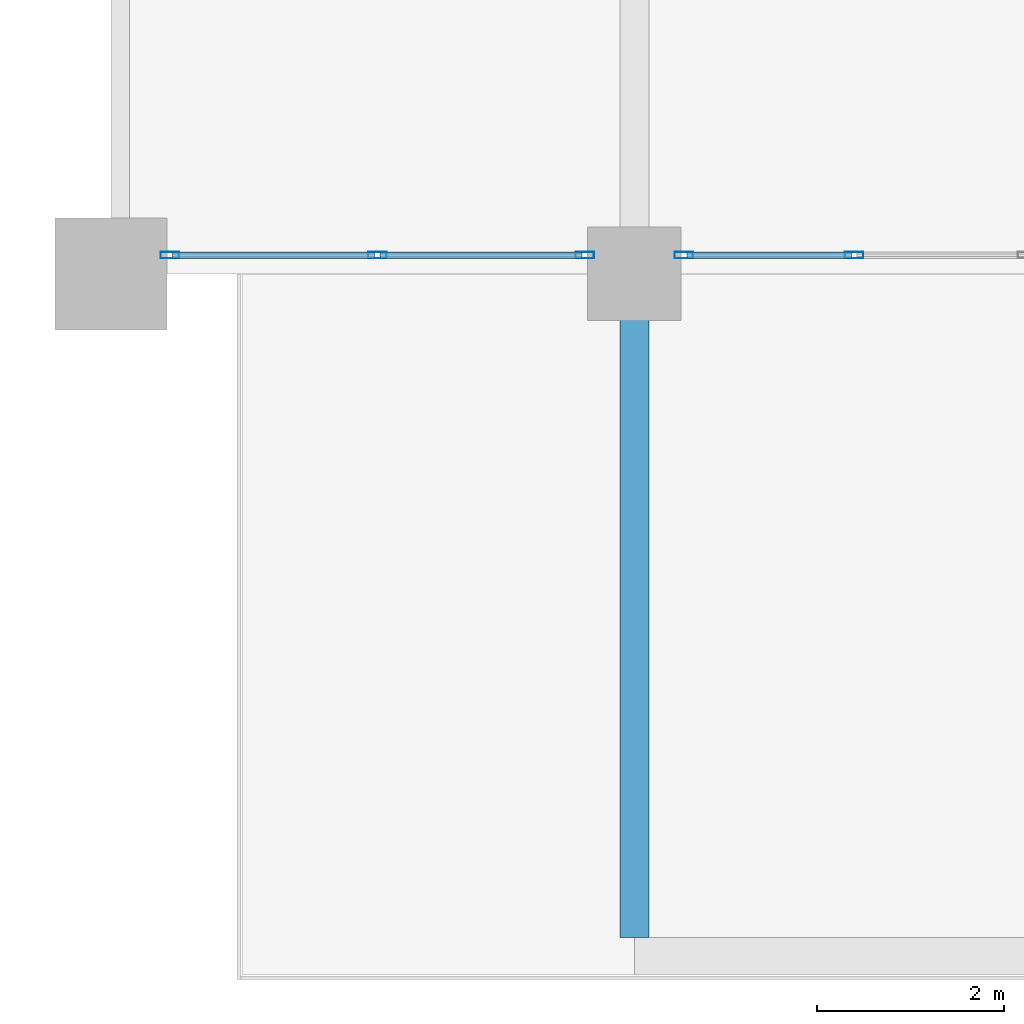
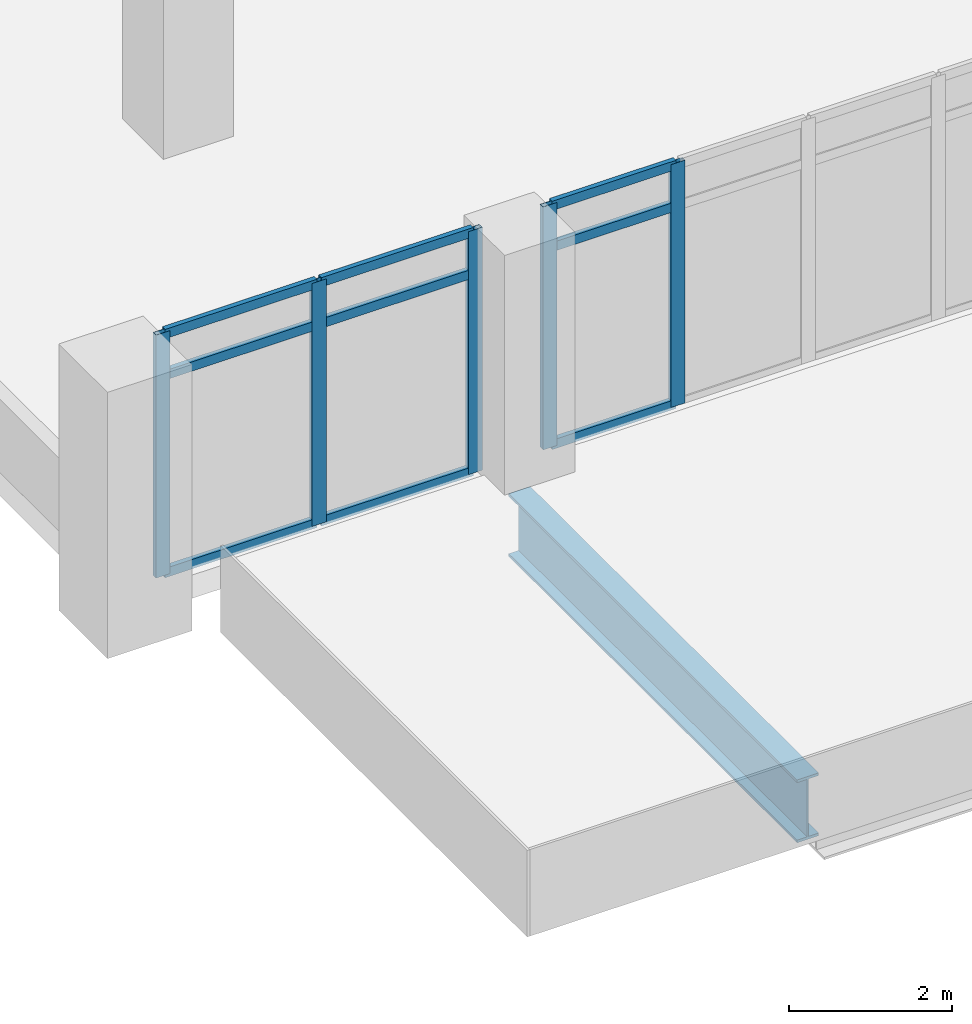
# One storey, part 3 of 24: 14 members, 1 beam, 2 elements without a shape of their own.
"""IFC4 building model written with IfcOpenShell, lengths in metres."""

from ifc_helpers import new_model, si_unit, direction, frame, origin, origin_2d, place, context, subcontext, project, spatial, hollow_rectangle, i_section, extrude, material, material_profile, profile_set, type_object, element, aggregate, save


model = new_model("IFC4")

# Units and contexts
model_context = context("Model", 3, precision=1e-05, world=origin(), true_north=direction((0.0, 1.0)))
body_context = subcontext(model_context, "Body", "Model", "MODEL_VIEW")
ifc_project = project(units=[si_unit("LENGTHUNIT", "METRE"), si_unit("AREAUNIT", "SQUARE_METRE"), si_unit("VOLUMEUNIT", "CUBIC_METRE"), si_unit("PLANEANGLEUNIT", "RADIAN"), si_unit("MASSUNIT", "GRAM", prefix="KILO")], contexts=[model_context])

# Site, building, storey
site_placement = place(None, origin())
site = spatial("IfcSite", under=ifc_project, at=site_placement, CompositionType="ELEMENT")
building_placement = place(site_placement, origin())
building = spatial("IfcBuilding", under=site, at=building_placement, Name="Ostrander Bayou Hotel Tower", CompositionType="ELEMENT")
storey_placement = place(building_placement, frame((0.0, 0.0, 6.0)))
storey = spatial("IfcBuildingStorey", under=building, at=storey_placement, Name="L01", CompositionType="ELEMENT", Elevation=6.0)

# Beam
ifc_material_1 = material(Name="Steel ASTM A992", Category="steel")
ifc_material_profile_1 = material_profile(ifc_material_1, i_section(OverallWidth=0.307861328125, OverallDepth=0.94287109375, WebThickness=0.022216796875, FlangeThickness=0.039794921875, at=origin_2d()))
ifc_profile_set_1 = profile_set([ifc_material_profile_1], Name="Steel ASTM A992")
beam_type = type_object("IfcBeamType", Name="CG2 canopy cantilever girder W36x232", PredefinedType="BEAM", material=ifc_profile_set_1)
beam_placement = place(storey_placement, frame((-8.39990234375, -50.39990234375, -0.8212890625), z_axis=(0.0, -1.0, 0.0), x_axis=(1.0, 0.0, 0.0)))
element("IfcBeam", 1, at=beam_placement, inside=storey, type_object=beam_type, Name="CG2 G1 cantilever", PredefinedType="BEAM", context=body_context, shape_type="SweptSolid", body=[
    extrude(i_section(OverallWidth=0.307861328125, OverallDepth=0.94287109375, WebThickness=0.022216796875, FlangeThickness=0.039794921875, at=origin_2d()), origin(), (0.0, 0.0, 1.0), 7.097900390625),
])

# Curtain wall, members
ifc_material_2 = material(Name="Aluminium and clear glass", Category="aluminium")
curtain_wall_type = type_object("IfcCurtainWallType", Name="CW-LOBBY glazed wall", PredefinedType="NOTDEFINED", material=ifc_material_2)
curtain_wall_1_placement = place(storey_placement, origin())
curtain_wall_1 = element("IfcCurtainWall", 2, at=curtain_wall_1_placement, inside=storey, type_object=curtain_wall_type, Name="CW-LOBBY L01:4", PredefinedType="NOTDEFINED")
ifc_material_3 = material(Name="Aluminium", Category="aluminium")
ifc_material_profile_2 = material_profile(ifc_material_3, hollow_rectangle(XDim=0.070068359375, YDim=0.199951171875, WallThickness=0.00390625, at=origin_2d()))
ifc_profile_set_2 = profile_set([ifc_material_profile_2], Name="Aluminium")
member_type_1 = type_object("IfcMemberType", Name="CW-LO mullion 70 x 200 mm", PredefinedType="MULLION", material=ifc_profile_set_2)
member_1_placement = place(storey_placement, frame((-6.050048828125, -50.199951171875, 0.0), z_axis=(0.0, 0.0, 1.0), x_axis=(0.0, -1.0, 0.0)))
member_1 = element("IfcMember", 3, at=member_1_placement, type_object=member_type_1, Name="CW-LOBBY mullion 4", PredefinedType="MULLION", context=body_context, shape_type="SweptSolid", body=[
    extrude(hollow_rectangle(XDim=0.070068359375, YDim=0.199951171875, WallThickness=0.00390625, at=origin_2d()), origin(), (0.0, 0.0, 1.0), 3.64990234375),
])
member_2_placement = place(storey_placement, frame((-7.8701171875, -50.199951171875, 0.0), z_axis=(0.0, 0.0, 1.0), x_axis=(0.0, -1.0, 0.0)))
member_2 = element("IfcMember", 4, at=member_2_placement, type_object=member_type_1, Name="CW-LOBBY mullion 5", PredefinedType="MULLION", context=body_context, shape_type="SweptSolid", body=[
    extrude(hollow_rectangle(XDim=0.070068359375, YDim=0.199951171875, WallThickness=0.00390625, at=origin_2d()), origin(), (0.0, 0.0, 1.0), 3.64990234375),
])

curtain_wall_2_placement = place(storey_placement, origin())
curtain_wall_2 = element("IfcCurtainWall", 5, at=curtain_wall_2_placement, inside=storey, type_object=curtain_wall_type, Name="CW-LOBBY L01:5", PredefinedType="NOTDEFINED")
member_3_placement = place(storey_placement, frame((-8.929931640625, -50.199951171875, 0.0), z_axis=(0.0, 0.0, 1.0), x_axis=(0.0, -1.0, 0.0)))
member_3 = element("IfcMember", 6, at=member_3_placement, type_object=member_type_1, Name="CW-LOBBY mullion 1", PredefinedType="MULLION", context=body_context, shape_type="SweptSolid", body=[
    extrude(hollow_rectangle(XDim=0.070068359375, YDim=0.199951171875, WallThickness=0.00390625, at=origin_2d()), origin(), (0.0, 0.0, 1.0), 3.64990234375),
])
member_4_placement = place(storey_placement, frame((-11.14990234375, -50.199951171875, 0.0), z_axis=(0.0, 0.0, 1.0), x_axis=(0.0, -1.0, 0.0)))
member_4 = element("IfcMember", 7, at=member_4_placement, type_object=member_type_1, Name="CW-LOBBY mullion 2", PredefinedType="MULLION", context=body_context, shape_type="SweptSolid", body=[
    extrude(hollow_rectangle(XDim=0.070068359375, YDim=0.199951171875, WallThickness=0.00390625, at=origin_2d()), origin(), (0.0, 0.0, 1.0), 3.64990234375),
])
member_5_placement = place(storey_placement, frame((-13.3701171875, -50.199951171875, 0.0), z_axis=(0.0, 0.0, 1.0), x_axis=(0.0, -1.0, 0.0)))
member_5 = element("IfcMember", 8, at=member_5_placement, type_object=member_type_1, Name="CW-LOBBY mullion 3", PredefinedType="MULLION", context=body_context, shape_type="SweptSolid", body=[
    extrude(hollow_rectangle(XDim=0.070068359375, YDim=0.199951171875, WallThickness=0.00390625, at=origin_2d()), origin(), (0.0, 0.0, 1.0), 3.64990234375),
])

# Member
ifc_material_4 = material(Name="Aluminium", Category="aluminium")
ifc_material_profile_3 = material_profile(ifc_material_4, hollow_rectangle(XDim=0.070068359375, YDim=0.139892578125, WallThickness=0.00390625, at=origin_2d()))
ifc_profile_set_3 = profile_set([ifc_material_profile_3], Name="Aluminium")
member_type_2 = type_object("IfcMemberType", Name="CW-LO transom 70 x 140 mm", PredefinedType="USERDEFINED", material=ifc_profile_set_3)
member_6_placement = place(storey_placement, frame((-6.080078125, -50.199951171875, 0.030029296875), z_axis=(-1.0, 0.0, 0.0), x_axis=(0.0, -1.0, 0.0)))
member_6 = element("IfcMember", 9, at=member_6_placement, type_object=member_type_2, Name="CW-LOBBY transom 4.1", ObjectType="TRANSOM", PredefinedType="USERDEFINED", context=body_context, shape_type="SweptSolid", body=[
    extrude(hollow_rectangle(XDim=0.070068359375, YDim=0.139892578125, WallThickness=0.00390625, at=origin_2d()), origin(), (0.0, 0.0, 1.0), 1.760009765625),
])

member_7_placement = place(storey_placement, frame((-6.080078125, -50.199951171875, 3.0), z_axis=(-1.0, 0.0, 0.0), x_axis=(0.0, -1.0, 0.0)))
member_7 = element("IfcMember", 10, at=member_7_placement, type_object=member_type_2, Name="CW-LOBBY transom 4.2", ObjectType="TRANSOM", PredefinedType="USERDEFINED", context=body_context, shape_type="SweptSolid", body=[
    extrude(hollow_rectangle(XDim=0.070068359375, YDim=0.139892578125, WallThickness=0.00390625, at=origin_2d()), origin(), (0.0, 0.0, 1.0), 1.760009765625),
])

member_8_placement = place(storey_placement, frame((-6.080078125, -50.199951171875, 3.6201171875), z_axis=(-1.0, 0.0, 0.0), x_axis=(0.0, -1.0, 0.0)))
member_8 = element("IfcMember", 11, at=member_8_placement, type_object=member_type_2, Name="CW-LOBBY transom 4.3", ObjectType="TRANSOM", PredefinedType="USERDEFINED", context=body_context, shape_type="SweptSolid", body=[
    extrude(hollow_rectangle(XDim=0.070068359375, YDim=0.139892578125, WallThickness=0.00390625, at=origin_2d()), origin(), (0.0, 0.0, 1.0), 1.760009765625),
])

aggregate(curtain_wall_1, [member_1, member_2, member_6, member_7, member_8])

member_9_placement = place(storey_placement, frame((-8.9599609375, -50.199951171875, 0.030029296875), z_axis=(-1.0, 0.0, 0.0), x_axis=(0.0, -1.0, 0.0)))
member_9 = element("IfcMember", 12, at=member_9_placement, type_object=member_type_2, Name="CW-LOBBY transom 1.1", ObjectType="TRANSOM", PredefinedType="USERDEFINED", context=body_context, shape_type="SweptSolid", body=[
    extrude(hollow_rectangle(XDim=0.070068359375, YDim=0.139892578125, WallThickness=0.00390625, at=origin_2d()), origin(), (0.0, 0.0, 1.0), 2.16015625),
])

member_10_placement = place(storey_placement, frame((-8.9599609375, -50.199951171875, 3.0), z_axis=(-1.0, 0.0, 0.0), x_axis=(0.0, -1.0, 0.0)))
member_10 = element("IfcMember", 13, at=member_10_placement, type_object=member_type_2, Name="CW-LOBBY transom 1.2", ObjectType="TRANSOM", PredefinedType="USERDEFINED", context=body_context, shape_type="SweptSolid", body=[
    extrude(hollow_rectangle(XDim=0.070068359375, YDim=0.139892578125, WallThickness=0.00390625, at=origin_2d()), origin(), (0.0, 0.0, 1.0), 2.16015625),
])

member_11_placement = place(storey_placement, frame((-8.9599609375, -50.199951171875, 3.6201171875), z_axis=(-1.0, 0.0, 0.0), x_axis=(0.0, -1.0, 0.0)))
member_11 = element("IfcMember", 14, at=member_11_placement, type_object=member_type_2, Name="CW-LOBBY transom 1.3", ObjectType="TRANSOM", PredefinedType="USERDEFINED", context=body_context, shape_type="SweptSolid", body=[
    extrude(hollow_rectangle(XDim=0.070068359375, YDim=0.139892578125, WallThickness=0.00390625, at=origin_2d()), origin(), (0.0, 0.0, 1.0), 2.16015625),
])

member_12_placement = place(storey_placement, frame((-11.179931640625, -50.199951171875, 0.030029296875), z_axis=(-1.0, 0.0, 0.0), x_axis=(0.0, -1.0, 0.0)))
member_12 = element("IfcMember", 15, at=member_12_placement, type_object=member_type_2, Name="CW-LOBBY transom 2.1", ObjectType="TRANSOM", PredefinedType="USERDEFINED", context=body_context, shape_type="SweptSolid", body=[
    extrude(hollow_rectangle(XDim=0.070068359375, YDim=0.139892578125, WallThickness=0.00390625, at=origin_2d()), origin(), (0.0, 0.0, 1.0), 2.16015625),
])

member_13_placement = place(storey_placement, frame((-11.179931640625, -50.199951171875, 3.0), z_axis=(-1.0, 0.0, 0.0), x_axis=(0.0, -1.0, 0.0)))
member_13 = element("IfcMember", 16, at=member_13_placement, type_object=member_type_2, Name="CW-LOBBY transom 2.2", ObjectType="TRANSOM", PredefinedType="USERDEFINED", context=body_context, shape_type="SweptSolid", body=[
    extrude(hollow_rectangle(XDim=0.070068359375, YDim=0.139892578125, WallThickness=0.00390625, at=origin_2d()), origin(), (0.0, 0.0, 1.0), 2.16015625),
])

member_14_placement = place(storey_placement, frame((-11.179931640625, -50.199951171875, 3.6201171875), z_axis=(-1.0, 0.0, 0.0), x_axis=(0.0, -1.0, 0.0)))
member_14 = element("IfcMember", 17, at=member_14_placement, type_object=member_type_2, Name="CW-LOBBY transom 2.3", ObjectType="TRANSOM", PredefinedType="USERDEFINED", context=body_context, shape_type="SweptSolid", body=[
    extrude(hollow_rectangle(XDim=0.070068359375, YDim=0.139892578125, WallThickness=0.00390625, at=origin_2d()), origin(), (0.0, 0.0, 1.0), 2.16015625),
])

aggregate(curtain_wall_2, [member_3, member_4, member_5, member_9, member_10, member_11, member_12, member_13, member_14])

save(model, "model.ifc")
